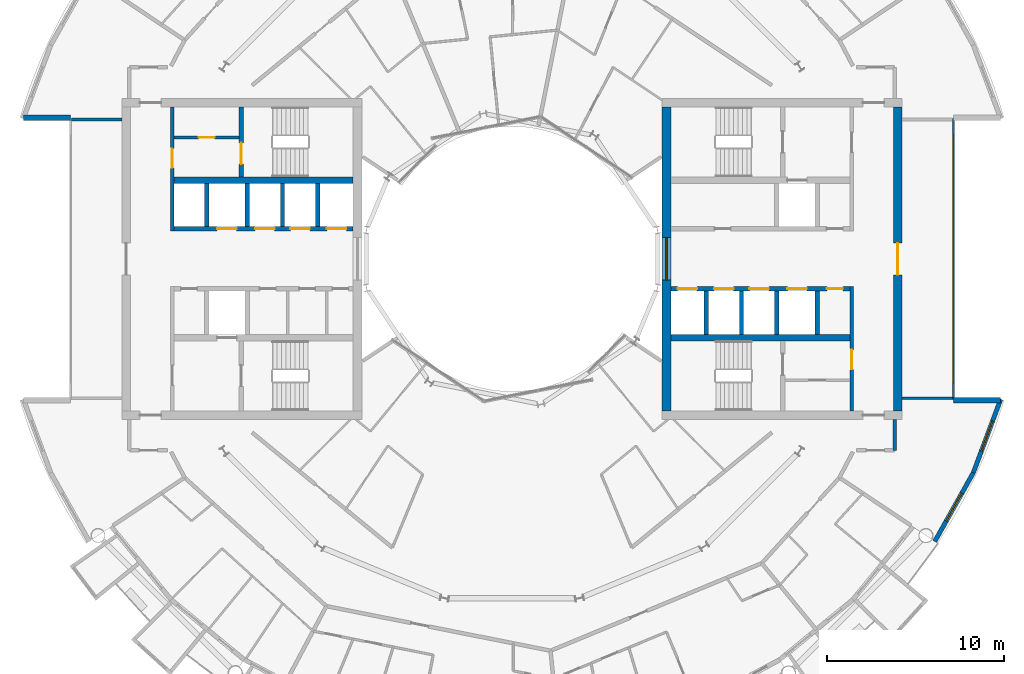
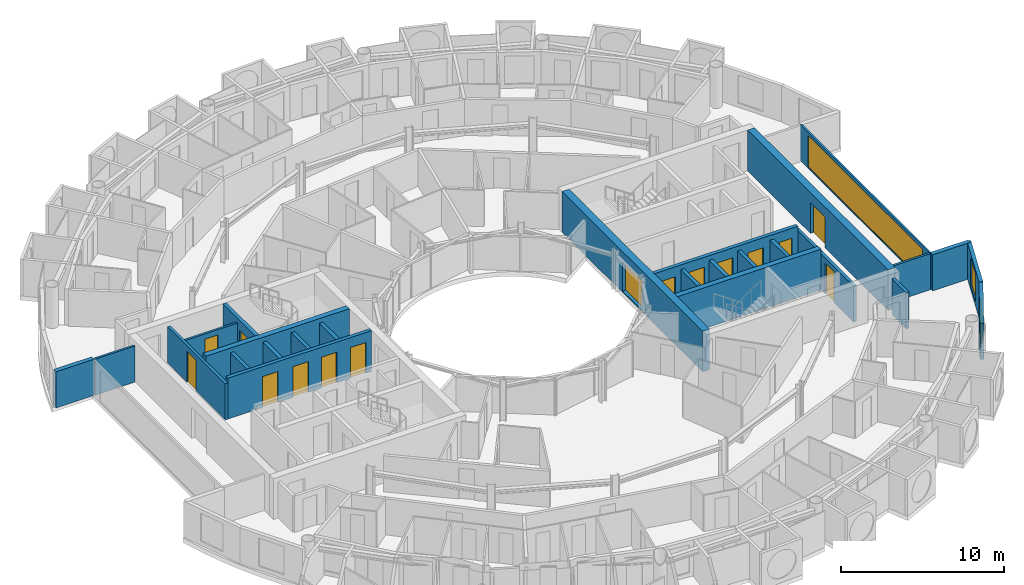
# One storey, part 18 of 27: 26 walls, 14 doors, 4 windows, 18 openings.
"""IFC4 building model written with IfcOpenShell, lengths in metres."""

from ifc_helpers import new_model, si_unit, direction, frame, frame_2d, origin, place, context, subcontext, project, spatial, rectangle, extrude, material, layer, layer_set, type_object, element, fill, save


model = new_model("IFC4")

# Units and contexts
model_context = context("Model", 3, precision=1e-05, world=origin(), true_north=direction((0.0, 1.0)))
body_context = subcontext(model_context, "Body", "Model", "MODEL_VIEW")
ifc_project = project(units=[si_unit("LENGTHUNIT", "METRE"), si_unit("AREAUNIT", "SQUARE_METRE"), si_unit("VOLUMEUNIT", "CUBIC_METRE"), si_unit("PLANEANGLEUNIT", "RADIAN"), si_unit("MASSUNIT", "GRAM", prefix="KILO")], contexts=[model_context])

# Site, building, storey
site_placement = place(None, origin())
site = spatial("IfcSite", under=ifc_project, at=site_placement, CompositionType="ELEMENT")
building_placement = place(site_placement, origin())
building = spatial("IfcBuilding", under=site, at=building_placement, Name="Maasbend Ring Residences", CompositionType="ELEMENT")
storey_placement = place(building_placement, frame((0.0, 0.0, 148.25)))
storey = spatial("IfcBuildingStorey", under=building, at=storey_placement, Name="L42", CompositionType="ELEMENT", Elevation=148.25)

# Wall, openings, doors
ifc_material_1 = material(Name="Concrete C60/75", Category="concrete")
ifc_layer_1 = layer(ifc_material_1, 0.25)
ifc_layer_set_1 = layer_set([ifc_layer_1], Name="Concrete C60/75")
wall_type_1 = type_object("IfcWallType", Name="CORE WALL 250 C60/75", PredefinedType="SHEAR", material=ifc_layer_set_1)
wall_1_placement = place(storey_placement, frame((19.14990234375, -1.699951171875, 0.0), z_axis=(0.0, 0.0, 1.0), x_axis=(-1.0, 0.0, 0.0)))
wall_1 = element("IfcWall", 1, at=wall_1_placement, inside=storey, type_object=wall_type_1, Name="L42 core E wall SPS", PredefinedType="SHEAR", context=body_context, shape_type="SweptSolid", body=[
    extrude(rectangle(XDim=10.14990234375, YDim=0.25, at=frame_2d((5.074951171875, 0.0))), origin(), (0.0, 0.0, 1.0), 3.050048828125),
])
opening_1_placement = place(wall_1_placement, frame((8.66259765625, 0.0, 0.0)))
opening_1 = element("IfcOpeningElement", 2, at=opening_1_placement, cuts=wall_1, Name="Opening LD-E4202", PredefinedType="OPENING", context=body_context, shape_type="SweptSolid", body=[
    extrude(rectangle(XDim=1.10009765625, YDim=2.300048828125, at=frame_2d((0.550048828125, 1.14990234375))), frame((0.0, 0.135009765625, 0.0), z_axis=(0.0, -1.0, 0.0), x_axis=(1.0, 0.0, 0.0)), (0.0, 0.0, 1.0), 0.27001953125),
])
opening_2_placement = place(wall_1_placement, frame((6.60009765625, 0.0, 0.0)))
opening_2 = element("IfcOpeningElement", 3, at=opening_2_placement, cuts=wall_1, Name="Opening LD-E4203", PredefinedType="OPENING", context=body_context, shape_type="SweptSolid", body=[
    extrude(rectangle(XDim=1.10009765625, YDim=2.300048828125, at=frame_2d((0.550048828125, 1.14990234375))), frame((0.0, 0.135009765625, 0.0), z_axis=(0.0, -1.0, 0.0), x_axis=(1.0, 0.0, 0.0)), (0.0, 0.0, 1.0), 0.27001953125),
])
opening_3_placement = place(wall_1_placement, frame((4.60009765625, 0.0, 0.0)))
opening_3 = element("IfcOpeningElement", 4, at=opening_3_placement, cuts=wall_1, Name="Opening LD-E4204", PredefinedType="OPENING", context=body_context, shape_type="SweptSolid", body=[
    extrude(rectangle(XDim=1.10009765625, YDim=2.300048828125, at=frame_2d((0.550048828125, 1.14990234375))), frame((0.0, 0.135009765625, 0.0), z_axis=(0.0, -1.0, 0.0), x_axis=(1.0, 0.0, 0.0)), (0.0, 0.0, 1.0), 0.27001953125),
])
opening_4_placement = place(wall_1_placement, frame((2.449951171875, 0.0, 0.0)))
opening_4 = element("IfcOpeningElement", 5, at=opening_4_placement, cuts=wall_1, Name="Opening LD-E4205", PredefinedType="OPENING", context=body_context, shape_type="SweptSolid", body=[
    extrude(rectangle(XDim=1.10009765625, YDim=2.300048828125, at=frame_2d((0.550048828125, 1.14990234375))), frame((0.0, 0.135009765625, 0.0), z_axis=(0.0, -1.0, 0.0), x_axis=(1.0, 0.0, 0.0)), (0.0, 0.0, 1.0), 0.27001953125),
])
opening_5_placement = place(wall_1_placement, frame((0.41259765625, 0.0, 0.0)))
opening_5 = element("IfcOpeningElement", 6, at=opening_5_placement, cuts=wall_1, Name="Opening D-E4208", PredefinedType="OPENING", context=body_context, shape_type="SweptSolid", body=[
    extrude(rectangle(XDim=0.89990234375, YDim=2.300048828125, at=frame_2d((0.449951171875, 1.14990234375))), frame((0.0, 0.135009765625, 0.0), z_axis=(0.0, -1.0, 0.0), x_axis=(1.0, 0.0, 0.0)), (0.0, 0.0, 1.0), 0.27001953125),
])
ifc_material_2 = material(Name="Stainless steel 316", Category="steel")
door_type_1 = type_object("IfcDoorType", Name="LANDING DOOR 1100 X 2300 FD60", OperationType="DOUBLE_DOOR_SLIDING", PredefinedType="DOOR", material=ifc_material_2)
door_1_placement = place(opening_1_placement, origin())
door_1 = element("IfcDoor", 7, at=door_1_placement, inside=storey, type_object=door_type_1, Name="Landing door HR-E1 L42", OperationType="DOUBLE_DOOR_SLIDING", OverallHeight=2.300048828125, OverallWidth=1.10009765625, PredefinedType="DOOR", context=body_context, shape_type="SweptSolid", body=[
    extrude(rectangle(XDim=1.10009765625, YDim=2.300048828125, at=frame_2d((0.550048828125, 1.14990234375))), frame((0.0, 0.02490234375, 0.0), z_axis=(0.0, -1.0, 0.0), x_axis=(1.0, 0.0, 0.0)), (0.0, 0.0, 1.0), 0.050048828125),
])
fill(opening_1, door_1)
door_2_placement = place(opening_2_placement, origin())
door_2 = element("IfcDoor", 8, at=door_2_placement, inside=storey, type_object=door_type_1, Name="Landing door HR-E2 L42", OperationType="DOUBLE_DOOR_SLIDING", OverallHeight=2.300048828125, OverallWidth=1.10009765625, PredefinedType="DOOR", context=body_context, shape_type="SweptSolid", body=[
    extrude(rectangle(XDim=1.10009765625, YDim=2.300048828125, at=frame_2d((0.550048828125, 1.14990234375))), frame((0.0, 0.02490234375, 0.0), z_axis=(0.0, -1.0, 0.0), x_axis=(1.0, 0.0, 0.0)), (0.0, 0.0, 1.0), 0.050048828125),
])
fill(opening_2, door_2)
door_3_placement = place(opening_3_placement, origin())
door_3 = element("IfcDoor", 9, at=door_3_placement, inside=storey, type_object=door_type_1, Name="Landing door HR-E3 L42", OperationType="DOUBLE_DOOR_SLIDING", OverallHeight=2.300048828125, OverallWidth=1.10009765625, PredefinedType="DOOR", context=body_context, shape_type="SweptSolid", body=[
    extrude(rectangle(XDim=1.10009765625, YDim=2.300048828125, at=frame_2d((0.550048828125, 1.14990234375))), frame((0.0, 0.02490234375, 0.0), z_axis=(0.0, -1.0, 0.0), x_axis=(1.0, 0.0, 0.0)), (0.0, 0.0, 1.0), 0.050048828125),
])
fill(opening_3, door_3)
door_4_placement = place(opening_4_placement, origin())
door_4 = element("IfcDoor", 10, at=door_4_placement, inside=storey, type_object=door_type_1, Name="Landing door SV-E L42", OperationType="DOUBLE_DOOR_SLIDING", OverallHeight=2.300048828125, OverallWidth=1.10009765625, PredefinedType="DOOR", context=body_context, shape_type="SweptSolid", body=[
    extrude(rectangle(XDim=1.10009765625, YDim=2.300048828125, at=frame_2d((0.550048828125, 1.14990234375))), frame((0.0, 0.02490234375, 0.0), z_axis=(0.0, -1.0, 0.0), x_axis=(1.0, 0.0, 0.0)), (0.0, 0.0, 1.0), 0.050048828125),
])
fill(opening_4, door_4)
ifc_material_3 = material(Name="Steel, powder coated", Category="steel")
door_type_2 = type_object("IfcDoorType", Name="ROOM DOOR 900 X 2300 FD30S", OperationType="NOTDEFINED", PredefinedType="DOOR", material=ifc_material_3)
door_5_placement = place(opening_5_placement, origin())
door_5 = element("IfcDoor", 11, at=door_5_placement, inside=storey, type_object=door_type_2, Name="Room door L42", OperationType="SINGLE_SWING_RIGHT", OverallHeight=2.300048828125, OverallWidth=0.89990234375, PredefinedType="DOOR", context=body_context, shape_type="SweptSolid", body=[
    extrude(rectangle(XDim=0.89990234375, YDim=2.300048828125, at=frame_2d((0.449951171875, 1.14990234375))), frame((0.0, 0.02490234375, 0.0), z_axis=(0.0, -1.0, 0.0), x_axis=(1.0, 0.0, 0.0)), (0.0, 0.0, 1.0), 0.050048828125),
])
fill(opening_5, door_5)

wall_2_placement = place(storey_placement, frame((-9.0, 1.699951171875, 0.0), z_axis=(0.0, 0.0, 1.0), x_axis=(-1.0, 0.0, 0.0)))
wall_2 = element("IfcWall", 12, at=wall_2_placement, inside=storey, type_object=wall_type_1, Name="L42 core W wall SPS", PredefinedType="SHEAR", context=body_context, shape_type="SweptSolid", body=[
    extrude(rectangle(XDim=10.14990234375, YDim=0.25, at=frame_2d((5.074951171875, 0.0))), origin(), (0.0, 0.0, 1.0), 3.050048828125),
])
opening_6_placement = place(wall_2_placement, frame((0.387451171875, 0.0, 0.0)))
opening_6 = element("IfcOpeningElement", 13, at=opening_6_placement, cuts=wall_2, Name="Opening LD-W4202", PredefinedType="OPENING", context=body_context, shape_type="SweptSolid", body=[
    extrude(rectangle(XDim=1.10009765625, YDim=2.300048828125, at=frame_2d((0.550048828125, 1.14990234375))), frame((0.0, 0.135009765625, 0.0), z_axis=(0.0, -1.0, 0.0), x_axis=(1.0, 0.0, 0.0)), (0.0, 0.0, 1.0), 0.27001953125),
])
opening_7_placement = place(wall_2_placement, frame((2.449951171875, 0.0, 0.0)))
opening_7 = element("IfcOpeningElement", 14, at=opening_7_placement, cuts=wall_2, Name="Opening LD-W4203", PredefinedType="OPENING", context=body_context, shape_type="SweptSolid", body=[
    extrude(rectangle(XDim=1.10009765625, YDim=2.300048828125, at=frame_2d((0.550048828125, 1.14990234375))), frame((0.0, 0.135009765625, 0.0), z_axis=(0.0, -1.0, 0.0), x_axis=(1.0, 0.0, 0.0)), (0.0, 0.0, 1.0), 0.27001953125),
])
opening_8_placement = place(wall_2_placement, frame((4.449951171875, 0.0, 0.0)))
opening_8 = element("IfcOpeningElement", 15, at=opening_8_placement, cuts=wall_2, Name="Opening LD-W4204", PredefinedType="OPENING", context=body_context, shape_type="SweptSolid", body=[
    extrude(rectangle(XDim=1.10009765625, YDim=2.300048828125, at=frame_2d((0.550048828125, 1.14990234375))), frame((0.0, 0.135009765625, 0.0), z_axis=(0.0, -1.0, 0.0), x_axis=(1.0, 0.0, 0.0)), (0.0, 0.0, 1.0), 0.27001953125),
])
opening_9_placement = place(wall_2_placement, frame((6.60009765625, 0.0, 0.0)))
opening_9 = element("IfcOpeningElement", 16, at=opening_9_placement, cuts=wall_2, Name="Opening LD-W4205", PredefinedType="OPENING", context=body_context, shape_type="SweptSolid", body=[
    extrude(rectangle(XDim=1.10009765625, YDim=2.300048828125, at=frame_2d((0.550048828125, 1.14990234375))), frame((0.0, 0.135009765625, 0.0), z_axis=(0.0, -1.0, 0.0), x_axis=(1.0, 0.0, 0.0)), (0.0, 0.0, 1.0), 0.27001953125),
])
door_6_placement = place(opening_6_placement, origin())
door_6 = element("IfcDoor", 17, at=door_6_placement, inside=storey, type_object=door_type_1, Name="Landing door HR-W1 L42", OperationType="DOUBLE_DOOR_SLIDING", OverallHeight=2.300048828125, OverallWidth=1.10009765625, PredefinedType="DOOR", context=body_context, shape_type="SweptSolid", body=[
    extrude(rectangle(XDim=1.10009765625, YDim=2.300048828125, at=frame_2d((0.550048828125, 1.14990234375))), frame((0.0, 0.02490234375, 0.0), z_axis=(0.0, -1.0, 0.0), x_axis=(1.0, 0.0, 0.0)), (0.0, 0.0, 1.0), 0.050048828125),
])
fill(opening_6, door_6)
door_7_placement = place(opening_7_placement, origin())
door_7 = element("IfcDoor", 18, at=door_7_placement, inside=storey, type_object=door_type_1, Name="Landing door HR-W2 L42", OperationType="DOUBLE_DOOR_SLIDING", OverallHeight=2.300048828125, OverallWidth=1.10009765625, PredefinedType="DOOR", context=body_context, shape_type="SweptSolid", body=[
    extrude(rectangle(XDim=1.10009765625, YDim=2.300048828125, at=frame_2d((0.550048828125, 1.14990234375))), frame((0.0, 0.02490234375, 0.0), z_axis=(0.0, -1.0, 0.0), x_axis=(1.0, 0.0, 0.0)), (0.0, 0.0, 1.0), 0.050048828125),
])
fill(opening_7, door_7)
door_8_placement = place(opening_8_placement, origin())
door_8 = element("IfcDoor", 19, at=door_8_placement, inside=storey, type_object=door_type_1, Name="Landing door HR-W3 L42", OperationType="DOUBLE_DOOR_SLIDING", OverallHeight=2.300048828125, OverallWidth=1.10009765625, PredefinedType="DOOR", context=body_context, shape_type="SweptSolid", body=[
    extrude(rectangle(XDim=1.10009765625, YDim=2.300048828125, at=frame_2d((0.550048828125, 1.14990234375))), frame((0.0, 0.02490234375, 0.0), z_axis=(0.0, -1.0, 0.0), x_axis=(1.0, 0.0, 0.0)), (0.0, 0.0, 1.0), 0.050048828125),
])
fill(opening_8, door_8)
door_9_placement = place(opening_9_placement, origin())
door_9 = element("IfcDoor", 20, at=door_9_placement, inside=storey, type_object=door_type_1, Name="Landing door SV-W L42", OperationType="DOUBLE_DOOR_SLIDING", OverallHeight=2.300048828125, OverallWidth=1.10009765625, PredefinedType="DOOR", context=body_context, shape_type="SweptSolid", body=[
    extrude(rectangle(XDim=1.10009765625, YDim=2.300048828125, at=frame_2d((0.550048828125, 1.14990234375))), frame((0.0, 0.02490234375, 0.0), z_axis=(0.0, -1.0, 0.0), x_axis=(1.0, 0.0, 0.0)), (0.0, 0.0, 1.0), 0.050048828125),
])
fill(opening_9, door_9)

# Wall, opening, door
wall_3_placement = place(storey_placement, frame((-15.324951171875, 8.60009765625, 0.0), z_axis=(0.0, 0.0, 1.0), x_axis=(0.0, -1.0, 0.0)))
wall_3 = element("IfcWall", 21, at=wall_3_placement, inside=storey, type_object=wall_type_1, Name="L42 core W wall STES", PredefinedType="SHEAR", context=body_context, shape_type="SweptSolid", body=[
    extrude(rectangle(XDim=3.9501953125, YDim=0.25, at=frame_2d((1.97509765625, 0.0))), origin(), (0.0, 0.0, 1.0), 3.050048828125),
])
opening_10_placement = place(wall_3_placement, frame((2.02490234375, 0.0, 0.0)))
opening_10 = element("IfcOpeningElement", 22, at=opening_10_placement, cuts=wall_3, Name="Opening D-W4212", PredefinedType="OPENING", context=body_context, shape_type="SweptSolid", body=[
    extrude(rectangle(XDim=1.199951171875, YDim=2.300048828125, at=frame_2d((0.60009765625, 1.14990234375))), frame((0.0, 0.135009765625, 0.0), z_axis=(0.0, -1.0, 0.0), x_axis=(1.0, 0.0, 0.0)), (0.0, 0.0, 1.0), 0.27001953125),
])
ifc_material_4 = material(Name="Steel, powder coated", Category="steel")
door_type_3 = type_object("IfcDoorType", Name="STAIR DOOR 1200 X 2300 FD60", OperationType="NOTDEFINED", PredefinedType="DOOR", material=ifc_material_4)
door_10_placement = place(opening_10_placement, origin())
door_10 = element("IfcDoor", 23, at=door_10_placement, inside=storey, type_object=door_type_3, Name="Stair door ST-W L42", OperationType="SINGLE_SWING_LEFT", OverallHeight=2.300048828125, OverallWidth=1.199951171875, PredefinedType="DOOR", context=body_context, shape_type="SweptSolid", body=[
    extrude(rectangle(XDim=1.199951171875, YDim=2.300048828125, at=frame_2d((0.60009765625, 1.14990234375))), frame((0.0, 0.02490234375, 0.0), z_axis=(0.0, -1.0, 0.0), x_axis=(1.0, 0.0, 0.0)), (0.0, 0.0, 1.0), 0.050048828125),
])
fill(opening_10, door_10)

# Walls
ifc_material_5 = material(Name="Concrete C60/75", Category="concrete")
ifc_layer_2 = layer(ifc_material_5, 0.375)
ifc_layer_set_2 = layer_set([ifc_layer_2], Name="Concrete C60/75")
wall_type_2 = type_object("IfcWallType", Name="CORE WALL 375 C60/75", PredefinedType="SHEAR", material=ifc_layer_set_2)
for number, where, z_axis, x_axis, name in (
    (24, (9.0, -4.46240234375, 0.0), (0.0, 0.0, 1.0), (1.0, 0.0, 0.0), "L42 core E wall BS"),
    (25, (-9.0, 4.46240234375, 0.0), (0.0, 0.0, 1.0), (-1.0, 0.0, 0.0), "L42 core W wall BS"),
):
    element("IfcWall", number, at=place(storey_placement, frame(where, z_axis=z_axis, x_axis=x_axis)), inside=storey, type_object=wall_type_2, Name=name, PredefinedType="SHEAR", context=body_context, shape_type="SweptSolid", body=[
        extrude(rectangle(XDim=10.14990234375, YDim=0.375, at=frame_2d((5.074951171875, 0.0))), origin(), (0.0, 0.0, 1.0), 3.050048828125),
    ])

# Wall, opening, door
ifc_material_6 = material(Name="Concrete C60/75", Category="concrete")
ifc_layer_3 = layer(ifc_material_6, 0.5)
ifc_layer_set_3 = layer_set([ifc_layer_3], Name="Concrete C60/75")
wall_type_3 = type_object("IfcWallType", Name="CORE WALL 500 C60/75", PredefinedType="SHEAR", material=ifc_layer_set_3)
wall_4_placement = place(storey_placement, frame((21.85009765625, 8.60009765625, 0.0), z_axis=(0.0, 0.0, 1.0), x_axis=(0.0, -1.0, 0.0)))
wall_4 = element("IfcWall", 26, at=wall_4_placement, inside=storey, type_object=wall_type_3, Name="L42 core E wall POUT", PredefinedType="SHEAR", context=body_context, shape_type="SweptSolid", body=[
    extrude(rectangle(XDim=17.2001953125, YDim=0.5, at=frame_2d((8.60009765625, 0.0))), origin(), (0.0, 0.0, 1.0), 3.050048828125),
])
opening_11_placement = place(wall_4_placement, frame((7.699951171875, 0.0, 0.0)))
opening_11 = element("IfcOpeningElement", 27, at=opening_11_placement, cuts=wall_4, Name="Opening D-E4216", PredefinedType="OPENING", context=body_context, shape_type="SweptSolid", body=[
    extrude(rectangle(XDim=1.800048828125, YDim=2.300048828125, at=frame_2d((0.89990234375, 1.14990234375))), frame((0.0, 0.260009765625, 0.0), z_axis=(0.0, -1.0, 0.0), x_axis=(1.0, 0.0, 0.0)), (0.0, 0.0, 1.0), 0.52001953125),
])
ifc_material_7 = material(Name="Aluminium frame, clear glass", Category="aluminium")
door_type_4 = type_object("IfcDoorType", Name="ENTRANCE DOOR 1800 X 2300 FD60", OperationType="NOTDEFINED", PredefinedType="DOOR", material=ifc_material_7)
door_11_placement = place(opening_11_placement, origin())
door_11 = element("IfcDoor", 28, at=door_11_placement, inside=storey, type_object=door_type_4, Name="Lobby glazed door L42", OperationType="SINGLE_SWING_LEFT", OverallHeight=2.300048828125, OverallWidth=1.800048828125, PredefinedType="DOOR", context=body_context, shape_type="SweptSolid", body=[
    extrude(rectangle(XDim=1.800048828125, YDim=2.300048828125, at=frame_2d((0.89990234375, 1.14990234375))), frame((0.0, 0.02490234375, 0.0), z_axis=(0.0, -1.0, 0.0), x_axis=(1.0, 0.0, 0.0)), (0.0, 0.0, 1.0), 0.050048828125),
])
fill(opening_11, door_11)

# Wall, opening, window
wall_5_placement = place(storey_placement, frame((8.75, -8.60009765625, 0.0), z_axis=(0.0, 0.0, 1.0), x_axis=(0.0, 1.0, 0.0)))
wall_5 = element("IfcWall", 29, at=wall_5_placement, inside=storey, type_object=wall_type_3, Name="L42 core E wall PIN", PredefinedType="SHEAR", context=body_context, shape_type="SweptSolid", body=[
    extrude(rectangle(XDim=17.2001953125, YDim=0.5, at=frame_2d((8.60009765625, 0.0))), origin(), (0.0, 0.0, 1.0), 3.050048828125),
])
opening_12_placement = place(wall_5_placement, frame((7.39990234375, 0.0, 0.10009765625)))
opening_12 = element("IfcOpeningElement", 30, at=opening_12_placement, cuts=wall_5, Name="Opening W-E4201", PredefinedType="OPENING", context=body_context, shape_type="SweptSolid", body=[
    extrude(rectangle(XDim=2.39990234375, YDim=2.199951171875, at=frame_2d((1.199951171875, 1.10009765625))), frame((0.0, 0.260009765625, 0.0), z_axis=(0.0, -1.0, 0.0), x_axis=(1.0, 0.0, 0.0)), (0.0, 0.0, 1.0), 0.52001953125),
])
ifc_material_8 = material(Name="Aluminium frame and clear glass", Category="aluminium")
window_type_1 = type_object("IfcWindowType", Name="FIXED WINDOW 2400 X 2200", PartitioningType="SINGLE_PANEL", PredefinedType="WINDOW", material=ifc_material_8)
window_1_placement = place(opening_12_placement, origin())
window_1 = element("IfcWindow", 31, at=window_1_placement, inside=storey, type_object=window_type_1, Name="Lobby window L42", OverallHeight=2.199951171875, OverallWidth=2.39990234375, PartitioningType="SINGLE_PANEL", PredefinedType="WINDOW", context=body_context, shape_type="SweptSolid", body=[
    extrude(rectangle(XDim=2.39990234375, YDim=2.199951171875, at=frame_2d((1.199951171875, 1.10009765625))), frame((0.0, 0.030029296875, 0.0), z_axis=(0.0, -1.0, 0.0), x_axis=(1.0, 0.0, 0.0)), (0.0, 0.0, 1.0), 0.06005859375),
])
fill(opening_12, window_1)

# Wall
ifc_material_9 = material(Name="Concrete C30/37", Category="concrete")
ifc_layer_4 = layer(ifc_material_9, 0.199951171875)
ifc_layer_set_4 = layer_set([ifc_layer_4], Name="Concrete C30/37")
wall_type_4 = type_object("IfcWallType", Name="CORRIDOR WALL 200 CONCRETE", PredefinedType="PARTITIONING", material=ifc_layer_set_4)
wall_6_placement = place(storey_placement, frame((21.675048828125, -10.85009765625, 0.0), z_axis=(0.0, 0.0, 1.0), x_axis=(0.0, 1.0, 0.0)))
element("IfcWall", 32, at=wall_6_placement, inside=storey, type_object=wall_type_4, Name="U-L42-w012", PredefinedType="PARTITIONING", context=body_context, shape_type="SweptSolid", body=[
    extrude(rectangle(XDim=1.75, YDim=0.199951171875, at=frame_2d((0.875, 0.0))), origin(), (0.0, 0.0, 1.0), 2.699951171875),
])

# Wall, opening, window
ifc_material_10 = material(Name="Aluminium clad insulated panel", Category="aluminium")
ifc_layer_5 = layer(ifc_material_10, 0.25)
ifc_layer_set_5 = layer_set([ifc_layer_5], Name="EW-HORN")
wall_type_5 = type_object("IfcWallType", Name="EW-HORN", PredefinedType="SOLIDWALL", material=ifc_layer_set_5)
wall_7_placement = place(storey_placement, frame((23.946044921875, -16.0, 0.0), z_axis=(0.0, 0.0, 1.0), x_axis=(0.489696356642, 0.871893042919, 0.0)))
wall_7 = element("IfcWall", 33, at=wall_7_placement, inside=storey, type_object=wall_type_5, Name="Horn wall 2.1", PredefinedType="SOLIDWALL", context=body_context, shape_type="SweptSolid", body=[
    extrude(rectangle(XDim=4.45361328125, YDim=0.25, at=frame_2d((2.226806640625, 0.0))), origin(), (0.0, 0.0, 1.0), 2.699951171875),
])
opening_13_placement = place(wall_7_placement, frame((1.32666015625, 0.0, 0.300048828125)))
opening_13 = element("IfcOpeningElement", 34, at=opening_13_placement, cuts=wall_7, Name="Opening W-BX", PredefinedType="OPENING", context=body_context, shape_type="SweptSolid", body=[
    extrude(rectangle(XDim=1.800048828125, YDim=2.10009765625, at=frame_2d((0.89990234375, 1.050048828125))), frame((0.0, 0.135009765625, 0.0), z_axis=(0.0, -1.0, 0.0), x_axis=(1.0, 0.0, 0.0)), (0.0, 0.0, 1.0), 0.27001953125),
])
ifc_material_11 = material(Name="Aluminium and clear glass", Category="aluminium")
window_type_2 = type_object("IfcWindowType", Name="W-BX", PartitioningType="DOUBLE_PANEL_VERTICAL", PredefinedType="WINDOW", material=ifc_material_11)
window_2_placement = place(opening_13_placement, origin())
window_2 = element("IfcWindow", 35, at=window_2_placement, inside=storey, type_object=window_type_2, Name="Horn window 2.1", OverallHeight=2.10009765625, OverallWidth=1.800048828125, PartitioningType="SINGLE_PANEL", PredefinedType="WINDOW", context=body_context, shape_type="SweptSolid", body=[
    extrude(rectangle(XDim=1.800048828125, YDim=2.10009765625, at=frame_2d((0.89990234375, 1.050048828125))), frame((0.0, 0.030029296875, 0.0), z_axis=(0.0, -1.0, 0.0), x_axis=(1.0, 0.0, 0.0)), (0.0, 0.0, 1.0), 0.06005859375),
])
fill(opening_13, window_2)

wall_8_placement = place(storey_placement, frame((26.126953125, -12.116943359375, 0.0), z_axis=(0.0, 0.0, 1.0), x_axis=(0.349247811493, 0.937030397675, 0.0)))
wall_8 = element("IfcWall", 36, at=wall_8_placement, inside=storey, type_object=wall_type_5, Name="Horn wall 2.2", PredefinedType="SOLIDWALL", context=body_context, shape_type="SweptSolid", body=[
    extrude(rectangle(XDim=4.4521484375, YDim=0.25, at=frame_2d((2.22607421875, 0.0))), origin(), (0.0, 0.0, 1.0), 2.699951171875),
])
opening_14_placement = place(wall_8_placement, frame((1.32666015625, 0.0, 0.300048828125)))
opening_14 = element("IfcOpeningElement", 37, at=opening_14_placement, cuts=wall_8, Name="Opening W-BX", PredefinedType="OPENING", context=body_context, shape_type="SweptSolid", body=[
    extrude(rectangle(XDim=1.800048828125, YDim=2.10009765625, at=frame_2d((0.89990234375, 1.050048828125))), frame((0.0, 0.135009765625, 0.0), z_axis=(0.0, -1.0, 0.0), x_axis=(1.0, 0.0, 0.0)), (0.0, 0.0, 1.0), 0.27001953125),
])
window_3_placement = place(opening_14_placement, origin())
window_3 = element("IfcWindow", 38, at=window_3_placement, inside=storey, type_object=window_type_2, Name="Horn window 2.2", OverallHeight=2.10009765625, OverallWidth=1.800048828125, PartitioningType="SINGLE_PANEL", PredefinedType="WINDOW", context=body_context, shape_type="SweptSolid", body=[
    extrude(rectangle(XDim=1.800048828125, YDim=2.10009765625, at=frame_2d((0.89990234375, 1.050048828125))), frame((0.0, 0.030029296875, 0.0), z_axis=(0.0, -1.0, 0.0), x_axis=(1.0, 0.0, 0.0)), (0.0, 0.0, 1.0), 0.06005859375),
])
fill(opening_14, window_3)

# Walls
ifc_material_12 = material(Name="Aluminium clad insulated panel", Category="aluminium")
ifc_layer_6 = layer(ifc_material_12, 0.300048828125)
ifc_layer_set_6 = layer_set([ifc_layer_6], Name="EW-RET")
wall_type_6 = type_object("IfcWallType", Name="EW-RET", PredefinedType="SOLIDWALL", material=ifc_layer_set_6)
for number, where, z_axis, x_axis, name in (
    (39, (25.0, -8.0, 0.0), (0.0, 0.0, 1.0), (1.0, 0.0, 0.0), "Notch return wall east south"),
    (40, (-25.0, 8.0, 0.0), (0.0, 0.0, 1.0), (-1.0, 0.0, 0.0), "Notch return wall west north"),
):
    element("IfcWall", number, at=place(storey_placement, frame(where, z_axis=z_axis, x_axis=x_axis)), inside=storey, type_object=wall_type_6, Name=name, PredefinedType="SOLIDWALL", context=body_context, shape_type="SweptSolid", body=[
        extrude(rectangle(XDim=2.6669921875, YDim=0.300048828125, at=frame_2d((1.33349609375, 0.0))), origin(), (0.0, 0.0, 1.0), 2.699951171875),
    ])

# Wall, opening, window
ifc_material_13 = material(Name="Aluminium frame and clear glass", Category="aluminium")
ifc_layer_7 = layer(ifc_material_13, 0.1201171875)
ifc_layer_set_7 = layer_set([ifc_layer_7], Name="GLAZED SCREEN WALL 120 EI 60")
wall_type_7 = type_object("IfcWallType", Name="GLAZED SCREEN WALL 120 EI 60", PredefinedType="PARTITIONING", material=ifc_layer_set_7)
wall_9_placement = place(storey_placement, frame((25.0, -7.949951171875, 0.0), z_axis=(0.0, 0.0, 1.0), x_axis=(0.0, 1.0, 0.0)))
wall_9 = element("IfcWall", 41, at=wall_9_placement, inside=storey, type_object=wall_type_7, Name="L42 core E wall FACE", PredefinedType="PARTITIONING", context=body_context, shape_type="SweptSolid", body=[
    extrude(rectangle(XDim=15.89990234375, YDim=0.1201171875, at=frame_2d((7.949951171875, 0.0))), origin(), (0.0, 0.0, 1.0), 2.699951171875),
])
opening_15_placement = place(wall_9_placement, frame((0.949951171875, 0.0, 0.10009765625)))
opening_15 = element("IfcOpeningElement", 42, at=opening_15_placement, cuts=wall_9, Name="Opening W-E4202", PredefinedType="OPENING", context=body_context, shape_type="SweptSolid", body=[
    extrude(rectangle(XDim=14.0, YDim=2.35009765625, at=frame_2d((7.0, 1.175048828125))), frame((0.0, 0.070068359375, 0.0), z_axis=(0.0, -1.0, 0.0), x_axis=(1.0, 0.0, 0.0)), (0.0, 0.0, 1.0), 0.14013671875),
])
ifc_material_14 = material(Name="Aluminium frame and clear glass", Category="aluminium")
window_type_3 = type_object("IfcWindowType", Name="FIXED WINDOW 14000 X 2350", PartitioningType="SINGLE_PANEL", PredefinedType="WINDOW", material=ifc_material_14)
window_4_placement = place(opening_15_placement, origin())
window_4 = element("IfcWindow", 43, at=window_4_placement, inside=storey, type_object=window_type_3, Name="Lobby window L42", OverallHeight=2.35009765625, OverallWidth=14.0, PartitioningType="SINGLE_PANEL", PredefinedType="WINDOW", context=body_context, shape_type="SweptSolid", body=[
    extrude(rectangle(XDim=14.0, YDim=2.35009765625, at=frame_2d((7.0, 1.175048828125))), frame((0.0, 0.030029296875, 0.0), z_axis=(0.0, -1.0, 0.0), x_axis=(1.0, 0.0, 0.0)), (0.0, 0.0, 1.0), 0.06005859375),
])
fill(opening_15, window_4)

# Wall
ifc_material_15 = material(Name="Gypsum board on steel studs", Category="steel")
ifc_layer_8 = layer(ifc_material_15, 0.14990234375)
ifc_layer_set_8 = layer_set([ifc_layer_8], Name="PARTITION 150 EI 60")
wall_type_8 = type_object("IfcWallType", Name="PARTITION 150 EI 60", PredefinedType="PARTITIONING", material=ifc_layer_set_8)
wall_10_placement = place(storey_placement, frame((22.10009765625, -7.89990234375, 0.0), z_axis=(0.0, 0.0, 1.0), x_axis=(1.0, 0.0, 0.0)))
element("IfcWall", 44, at=wall_10_placement, inside=storey, type_object=wall_type_8, Name="L42 core E wall CITS", PredefinedType="PARTITIONING", context=body_context, shape_type="SweptSolid", body=[
    extrude(rectangle(XDim=2.83984375, YDim=0.14990234375, at=frame_2d((1.419921875, 0.0))), origin(), (0.0, 0.0, 1.0), 2.699951171875),
])

# Wall, opening, door
wall_11_placement = place(storey_placement, frame((-15.449951171875, 6.875, 0.0), z_axis=(0.0, 0.0, 1.0), x_axis=(-1.0, 0.0, 0.0)))
wall_11 = element("IfcWall", 45, at=wall_11_placement, inside=storey, type_object=wall_type_8, Name="L42 core W wall RHS", PredefinedType="PARTITIONING", context=body_context, shape_type="SweptSolid", body=[
    extrude(rectangle(XDim=3.699951171875, YDim=0.14990234375, at=frame_2d((1.85009765625, 0.0))), origin(), (0.0, 0.0, 1.0), 2.699951171875),
])
opening_16_placement = place(wall_11_placement, frame((1.39990234375, 0.0, 0.0)))
opening_16 = element("IfcOpeningElement", 46, at=opening_16_placement, cuts=wall_11, Name="Opening D-W4210", PredefinedType="OPENING", context=body_context, shape_type="SweptSolid", body=[
    extrude(rectangle(XDim=0.89990234375, YDim=2.300048828125, at=frame_2d((0.449951171875, 1.14990234375))), frame((0.0, 0.0849609375, 0.0), z_axis=(0.0, -1.0, 0.0), x_axis=(1.0, 0.0, 0.0)), (0.0, 0.0, 1.0), 0.169921875),
])
ifc_material_16 = material(Name="Steel, powder coated", Category="steel")
door_type_5 = type_object("IfcDoorType", Name="RISER DOOR 900 X 2300 FD60", OperationType="NOTDEFINED", PredefinedType="DOOR", material=ifc_material_16)
door_12_placement = place(opening_16_placement, origin())
door_12 = element("IfcDoor", 47, at=door_12_placement, inside=storey, type_object=door_type_5, Name="Riser door L42", OperationType="SINGLE_SWING_LEFT", OverallHeight=2.300048828125, OverallWidth=0.89990234375, PredefinedType="DOOR", context=body_context, shape_type="SweptSolid", body=[
    extrude(rectangle(XDim=0.89990234375, YDim=2.300048828125, at=frame_2d((0.449951171875, 1.14990234375))), frame((0.0, 0.02490234375, 0.0), z_axis=(0.0, -1.0, 0.0), x_axis=(1.0, 0.0, 0.0)), (0.0, 0.0, 1.0), 0.050048828125),
])
fill(opening_16, door_12)

# Wall
wall_12_placement = place(storey_placement, frame((-22.10009765625, 7.89990234375, 0.0), z_axis=(0.0, 0.0, 1.0), x_axis=(-1.0, 0.0, 0.0)))
element("IfcWall", 48, at=wall_12_placement, inside=storey, type_object=wall_type_8, Name="L42 core W wall CITS", PredefinedType="PARTITIONING", context=body_context, shape_type="SweptSolid", body=[
    extrude(rectangle(XDim=2.83984375, YDim=0.14990234375, at=frame_2d((1.419921875, 0.0))), origin(), (0.0, 0.0, 1.0), 2.699951171875),
])

# Wall, opening, door
ifc_material_17 = material(Name="Concrete C30/37", Category="concrete")
ifc_layer_9 = layer(ifc_material_17, 0.199951171875)
ifc_layer_set_9 = layer_set([ifc_layer_9], Name="Concrete C30/37")
wall_type_9 = type_object("IfcWallType", Name="SHAFT WALL 200 EI 120", PredefinedType="SOLIDWALL", material=ifc_layer_set_9)
wall_13_placement = place(storey_placement, frame((19.25, -8.60009765625, 0.0), z_axis=(0.0, 0.0, 1.0), x_axis=(0.0, 1.0, 0.0)))
wall_13 = element("IfcWall", 49, at=wall_13_placement, inside=storey, type_object=wall_type_9, Name="L42 core E wall ENDS", PredefinedType="SOLIDWALL", context=body_context, shape_type="SweptSolid", body=[
    extrude(rectangle(XDim=7.025146484375, YDim=0.199951171875, at=frame_2d((3.5126953125, 0.0))), origin(), (0.0, 0.0, 1.0), 2.699951171875),
])
opening_17_placement = place(wall_13_placement, frame((2.35009765625, 0.0, 0.0)))
opening_17 = element("IfcOpeningElement", 50, at=opening_17_placement, cuts=wall_13, Name="Opening D-E4213", PredefinedType="OPENING", context=body_context, shape_type="SweptSolid", body=[
    extrude(rectangle(XDim=1.10009765625, YDim=2.300048828125, at=frame_2d((0.550048828125, 1.14990234375))), frame((0.0, 0.10986328125, 0.0), z_axis=(0.0, -1.0, 0.0), x_axis=(1.0, 0.0, 0.0)), (0.0, 0.0, 1.0), 0.219970703125),
])
ifc_material_18 = material(Name="Steel, powder coated", Category="steel")
door_type_6 = type_object("IfcDoorType", Name="LOBBY DOOR 1100 X 2300 FD60", OperationType="NOTDEFINED", PredefinedType="DOOR", material=ifc_material_18)
door_13_placement = place(opening_17_placement, origin())
door_13 = element("IfcDoor", 51, at=door_13_placement, inside=storey, type_object=door_type_6, Name="Lobby door L42", OperationType="SINGLE_SWING_RIGHT", OverallHeight=2.300048828125, OverallWidth=1.10009765625, PredefinedType="DOOR", context=body_context, shape_type="SweptSolid", body=[
    extrude(rectangle(XDim=1.10009765625, YDim=2.300048828125, at=frame_2d((0.550048828125, 1.14990234375))), frame((0.0, 0.02490234375, 0.0), z_axis=(0.0, -1.0, 0.0), x_axis=(1.0, 0.0, 0.0)), (0.0, 0.0, 1.0), 0.050048828125),
])
fill(opening_17, door_13)

wall_14_placement = place(storey_placement, frame((-19.25, 8.60009765625, 0.0), z_axis=(0.0, 0.0, 1.0), x_axis=(0.0, -1.0, 0.0)))
wall_14 = element("IfcWall", 52, at=wall_14_placement, inside=storey, type_object=wall_type_9, Name="L42 core W wall ENDS", PredefinedType="SOLIDWALL", context=body_context, shape_type="SweptSolid", body=[
    extrude(rectangle(XDim=7.025146484375, YDim=0.199951171875, at=frame_2d((3.5126953125, 0.0))), origin(), (0.0, 0.0, 1.0), 2.699951171875),
])
opening_18_placement = place(wall_14_placement, frame((2.35009765625, 0.0, 0.0)))
opening_18 = element("IfcOpeningElement", 53, at=opening_18_placement, cuts=wall_14, Name="Opening D-W4214", PredefinedType="OPENING", context=body_context, shape_type="SweptSolid", body=[
    extrude(rectangle(XDim=1.10009765625, YDim=2.300048828125, at=frame_2d((0.550048828125, 1.14990234375))), frame((0.0, 0.10986328125, 0.0), z_axis=(0.0, -1.0, 0.0), x_axis=(1.0, 0.0, 0.0)), (0.0, 0.0, 1.0), 0.219970703125),
])
door_14_placement = place(opening_18_placement, origin())
door_14 = element("IfcDoor", 54, at=door_14_placement, inside=storey, type_object=door_type_6, Name="Lobby door L42", OperationType="SINGLE_SWING_RIGHT", OverallHeight=2.300048828125, OverallWidth=1.10009765625, PredefinedType="DOOR", context=body_context, shape_type="SweptSolid", body=[
    extrude(rectangle(XDim=1.10009765625, YDim=2.300048828125, at=frame_2d((0.550048828125, 1.14990234375))), frame((0.0, 0.02490234375, 0.0), z_axis=(0.0, -1.0, 0.0), x_axis=(1.0, 0.0, 0.0)), (0.0, 0.0, 1.0), 0.050048828125),
])
fill(opening_18, door_14)

# Walls
ifc_material_19 = material(Name="Concrete C30/37", Category="concrete")
ifc_layer_10 = layer(ifc_material_19, 0.25)
ifc_layer_set_10 = layer_set([ifc_layer_10], Name="Concrete C30/37")
wall_type_10 = type_object("IfcWallType", Name="SHAFT WALL 250 EI 120", PredefinedType="SOLIDWALL", material=ifc_layer_set_10)
for number, where, z_axis, x_axis, name in (
    (55, (15.0, -1.824951171875, 0.0), (0.0, 0.0, 1.0), (0.0, -1.0, 0.0), "L42 core E wall D150S"),
    (56, (17.300048828125, -1.824951171875, 0.0), (0.0, 0.0, 1.0), (0.0, -1.0, 0.0), "L42 core E wall D173S"),
    (57, (11.0, -1.824951171875, 0.0), (0.0, 0.0, 1.0), (0.0, -1.0, 0.0), "L42 core E wall D110S"),
    (58, (13.0, -1.824951171875, 0.0), (0.0, 0.0, 1.0), (0.0, -1.0, 0.0), "L42 core E wall D130S"),
    (59, (-15.0, 1.824951171875, 0.0), (0.0, 0.0, 1.0), (0.0, 1.0, 0.0), "L42 core W wall D150S"),
    (60, (-17.300048828125, 1.824951171875, 0.0), (0.0, 0.0, 1.0), (0.0, 1.0, 0.0), "L42 core W wall D173S"),
    (61, (-11.0, 1.824951171875, 0.0), (0.0, 0.0, 1.0), (0.0, 1.0, 0.0), "L42 core W wall D110S"),
    (62, (-13.0, 1.824951171875, 0.0), (0.0, 0.0, 1.0), (0.0, 1.0, 0.0), "L42 core W wall D130S"),
):
    element("IfcWall", number, at=place(storey_placement, frame(where, z_axis=z_axis, x_axis=x_axis)), inside=storey, type_object=wall_type_10, Name=name, PredefinedType="SOLIDWALL", context=body_context, shape_type="SweptSolid", body=[
        extrude(rectangle(XDim=2.449951171875, YDim=0.25, at=frame_2d((1.22509765625, 0.0))), origin(), (0.0, 0.0, 1.0), 2.699951171875),
    ])

save(model, "model.ifc")
